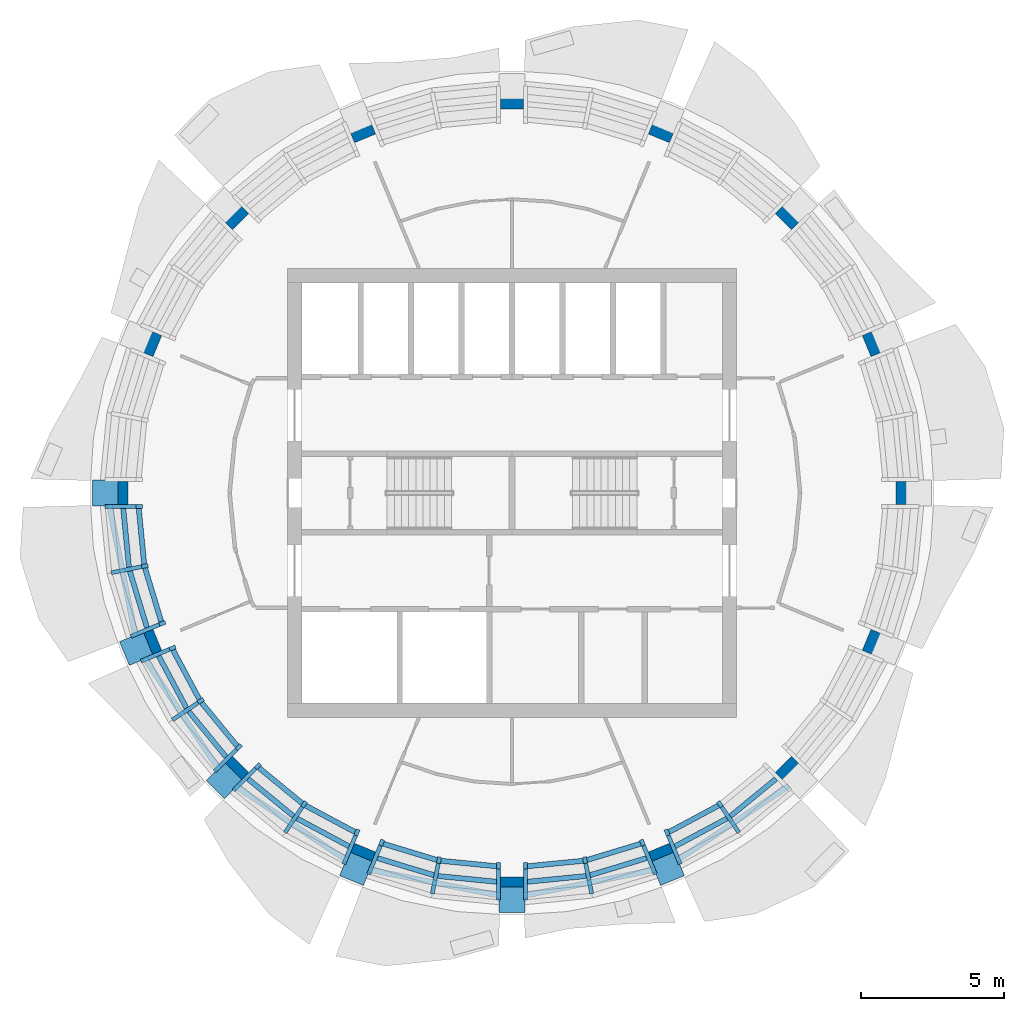
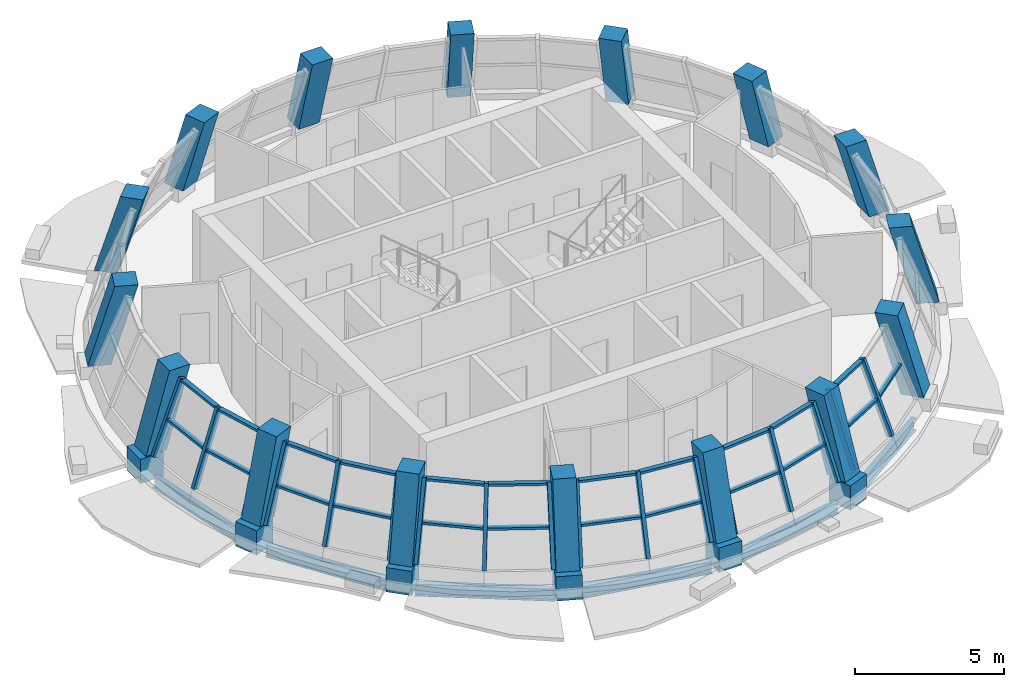
# One storey, part 1 of 12: 46 members, 16 columns, 6 beams, 6 elements without a shape of their own.
"""IFC4 building model written with IfcOpenShell, lengths in metres."""

from ifc_helpers import new_model, si_unit, direction, frame, origin, origin_2d, place, context, subcontext, project, spatial, rectangle, i_section, extrude, material, material_profile, profile_set, type_object, element, aggregate, save


model = new_model("IFC4")

# Units and contexts
model_context = context("Model", 3, precision=1e-05, world=origin(), true_north=direction((0.0, 1.0)))
body_context = subcontext(model_context, "Body", "Model", "MODEL_VIEW")
ifc_project = project(units=[si_unit("LENGTHUNIT", "METRE"), si_unit("AREAUNIT", "SQUARE_METRE"), si_unit("VOLUMEUNIT", "CUBIC_METRE"), si_unit("PLANEANGLEUNIT", "RADIAN"), si_unit("MASSUNIT", "GRAM", prefix="KILO")], contexts=[model_context])

# Site, building, storey
site_placement = place(None, origin())
site = spatial("IfcSite", under=ifc_project, at=site_placement, CompositionType="ELEMENT")
building_placement = place(site_placement, origin())
building = spatial("IfcBuilding", under=site, at=building_placement, Name="Polderwave Tower", CompositionType="ELEMENT")
storey_placement = place(building_placement, frame((0.0, 0.0, 231.199951171875)))
storey = spatial("IfcBuildingStorey", under=building, at=storey_placement, Name="L63", CompositionType="ELEMENT", Elevation=231.199951171875)

# Columns
ifc_material_1 = material(Name="Concrete C60/75", Category="concrete")
ifc_material_profile_1 = material_profile(ifc_material_1, rectangle(XDim=0.800048828125, YDim=0.800048828125, at=origin_2d()), Name="RC 800x800")
ifc_profile_set_1 = profile_set([ifc_material_profile_1], Name="Concrete C60/75")
column_type = type_object("IfcColumnType", Name="RC COLUMN 800x800 C60/75", PredefinedType="COLUMN", material=ifc_profile_set_1)
column_1_placement = place(storey_placement, frame((14.05712890625, 0.0, 0.5), z_axis=(0.0, 0.0, 1.0), x_axis=(0.0, -1.0, 0.0)))
element("IfcColumn", 1, at=column_1_placement, inside=storey, type_object=column_type, Name="Ring column 01", PredefinedType="COLUMN", context=body_context, shape_type="SweptSolid", body=[
    extrude(rectangle(XDim=0.800048828125, YDim=0.800048828125, at=origin_2d()), origin(), (0.0, -0.274730816856, 0.961521179314), 3.328125),
])
column_2_placement = place(storey_placement, frame((12.987060546875, 5.37939453125, 0.5), z_axis=(0.0, 0.0, 1.0), x_axis=(0.382642651649, -0.923896423382, 0.0)))
element("IfcColumn", 2, at=column_2_placement, inside=storey, type_object=column_type, Name="Ring column 02", PredefinedType="COLUMN", context=body_context, shape_type="SweptSolid", body=[
    extrude(rectangle(XDim=0.800048828125, YDim=0.800048828125, at=origin_2d()), origin(), (0.0, -0.274731396379, 0.96152101373), 3.328125),
])
column_3_placement = place(storey_placement, frame((9.93994140625, 9.93994140625, 0.5), z_axis=(0.0, 0.0, 1.0), x_axis=(0.707106781187, -0.707106781187, 0.0)))
element("IfcColumn", 3, at=column_3_placement, inside=storey, type_object=column_type, Name="Ring column 03", PredefinedType="COLUMN", context=body_context, shape_type="SweptSolid", body=[
    extrude(rectangle(XDim=0.800048828125, YDim=0.800048828125, at=origin_2d()), origin(), (0.0, -0.274719796552, 0.961524328024), 3.327880859375),
])
column_4_placement = place(storey_placement, frame((5.37939453125, 12.987060546875, 0.5), z_axis=(0.0, 0.0, 1.0), x_axis=(0.923896423382, -0.382642651649, 0.0)))
element("IfcColumn", 4, at=column_4_placement, inside=storey, type_object=column_type, Name="Ring column 04", PredefinedType="COLUMN", context=body_context, shape_type="SweptSolid", body=[
    extrude(rectangle(XDim=0.800048828125, YDim=0.800048828125, at=origin_2d()), origin(), (0.0, -0.274731396379, 0.96152101373), 3.328125),
])
column_5_placement = place(storey_placement, frame((0.0, 14.05712890625, 0.5), z_axis=(0.0, 0.0, 1.0), x_axis=(1.0, 0.0, 0.0)))
element("IfcColumn", 5, at=column_5_placement, inside=storey, type_object=column_type, Name="Ring column 05", PredefinedType="COLUMN", context=body_context, shape_type="SweptSolid", body=[
    extrude(rectangle(XDim=0.800048828125, YDim=0.800048828125, at=origin_2d()), origin(), (0.0, -0.274730816856, 0.961521179314), 3.328125),
])
column_6_placement = place(storey_placement, frame((-5.37939453125, 12.987060546875, 0.5), z_axis=(0.0, 0.0, 1.0), x_axis=(0.923896423382, 0.382642651649, 0.0)))
element("IfcColumn", 6, at=column_6_placement, inside=storey, type_object=column_type, Name="Ring column 06", PredefinedType="COLUMN", context=body_context, shape_type="SweptSolid", body=[
    extrude(rectangle(XDim=0.800048828125, YDim=0.800048828125, at=origin_2d()), origin(), (0.0, -0.274731396379, 0.96152101373), 3.328125),
])
column_7_placement = place(storey_placement, frame((-9.93994140625, 9.93994140625, 0.5), z_axis=(0.0, 0.0, 1.0), x_axis=(0.707106781187, 0.707106781187, 0.0)))
element("IfcColumn", 7, at=column_7_placement, inside=storey, type_object=column_type, Name="Ring column 07", PredefinedType="COLUMN", context=body_context, shape_type="SweptSolid", body=[
    extrude(rectangle(XDim=0.800048828125, YDim=0.800048828125, at=origin_2d()), origin(), (0.0, -0.274719796552, 0.961524328024), 3.327880859375),
])
column_8_placement = place(storey_placement, frame((-12.987060546875, 5.37939453125, 0.5), z_axis=(0.0, 0.0, 1.0), x_axis=(0.382642651649, 0.923896423382, 0.0)))
element("IfcColumn", 8, at=column_8_placement, inside=storey, type_object=column_type, Name="Ring column 08", PredefinedType="COLUMN", context=body_context, shape_type="SweptSolid", body=[
    extrude(rectangle(XDim=0.800048828125, YDim=0.800048828125, at=origin_2d()), origin(), (0.0, -0.274731396379, 0.96152101373), 3.328125),
])
column_9_placement = place(storey_placement, frame((-14.05712890625, 0.0, 0.5), z_axis=(0.0, 0.0, 1.0), x_axis=(0.0, 1.0, 0.0)))
element("IfcColumn", 9, at=column_9_placement, inside=storey, type_object=column_type, Name="Ring column 09", PredefinedType="COLUMN", context=body_context, shape_type="SweptSolid", body=[
    extrude(rectangle(XDim=0.800048828125, YDim=0.800048828125, at=origin_2d()), origin(), (0.0, -0.274730816856, 0.961521179314), 3.328125),
])
column_10_placement = place(storey_placement, frame((-12.987060546875, -5.37939453125, 0.5), z_axis=(0.0, 0.0, 1.0), x_axis=(-0.382642651649, 0.923896423382, 0.0)))
element("IfcColumn", 10, at=column_10_placement, inside=storey, type_object=column_type, Name="Ring column 10", PredefinedType="COLUMN", context=body_context, shape_type="SweptSolid", body=[
    extrude(rectangle(XDim=0.800048828125, YDim=0.800048828125, at=origin_2d()), origin(), (0.0, -0.274731396379, 0.96152101373), 3.328125),
])
column_11_placement = place(storey_placement, frame((-9.93994140625, -9.93994140625, 0.5), z_axis=(0.0, 0.0, 1.0), x_axis=(-0.707106781187, 0.707106781187, 0.0)))
element("IfcColumn", 11, at=column_11_placement, inside=storey, type_object=column_type, Name="Ring column 11", PredefinedType="COLUMN", context=body_context, shape_type="SweptSolid", body=[
    extrude(rectangle(XDim=0.800048828125, YDim=0.800048828125, at=origin_2d()), origin(), (0.0, -0.274719796552, 0.961524328024), 3.327880859375),
])
column_12_placement = place(storey_placement, frame((-5.37939453125, -12.987060546875, 0.5), z_axis=(0.0, 0.0, 1.0), x_axis=(-0.923896423382, 0.382642651649, 0.0)))
element("IfcColumn", 12, at=column_12_placement, inside=storey, type_object=column_type, Name="Ring column 12", PredefinedType="COLUMN", context=body_context, shape_type="SweptSolid", body=[
    extrude(rectangle(XDim=0.800048828125, YDim=0.800048828125, at=origin_2d()), origin(), (0.0, -0.274731396379, 0.96152101373), 3.328125),
])
column_13_placement = place(storey_placement, frame((0.0, -14.05712890625, 0.5), z_axis=(0.0, 0.0, 1.0), x_axis=(-1.0, 0.0, 0.0)))
element("IfcColumn", 13, at=column_13_placement, inside=storey, type_object=column_type, Name="Ring column 13", PredefinedType="COLUMN", context=body_context, shape_type="SweptSolid", body=[
    extrude(rectangle(XDim=0.800048828125, YDim=0.800048828125, at=origin_2d()), origin(), (0.0, -0.274730816856, 0.961521179314), 3.328125),
])
column_14_placement = place(storey_placement, frame((5.37939453125, -12.987060546875, 0.5), z_axis=(0.0, 0.0, 1.0), x_axis=(-0.923896423382, -0.382642651649, 0.0)))
element("IfcColumn", 14, at=column_14_placement, inside=storey, type_object=column_type, Name="Ring column 14", PredefinedType="COLUMN", context=body_context, shape_type="SweptSolid", body=[
    extrude(rectangle(XDim=0.800048828125, YDim=0.800048828125, at=origin_2d()), origin(), (0.0, -0.274731396379, 0.96152101373), 3.328125),
])
column_15_placement = place(storey_placement, frame((9.93994140625, -9.93994140625, 0.5), z_axis=(0.0, 0.0, 1.0), x_axis=(-0.707106781187, -0.707106781187, 0.0)))
element("IfcColumn", 15, at=column_15_placement, inside=storey, type_object=column_type, Name="Ring column 15", PredefinedType="COLUMN", context=body_context, shape_type="SweptSolid", body=[
    extrude(rectangle(XDim=0.800048828125, YDim=0.800048828125, at=origin_2d()), origin(), (0.0, -0.274719796552, 0.961524328024), 3.327880859375),
])
column_16_placement = place(storey_placement, frame((12.987060546875, -5.37939453125, 0.5), z_axis=(0.0, 0.0, 1.0), x_axis=(-0.382642651649, -0.923896423382, 0.0)))
element("IfcColumn", 16, at=column_16_placement, inside=storey, type_object=column_type, Name="Ring column 16", PredefinedType="COLUMN", context=body_context, shape_type="SweptSolid", body=[
    extrude(rectangle(XDim=0.800048828125, YDim=0.800048828125, at=origin_2d()), origin(), (0.0, -0.274731396379, 0.96152101373), 3.328125),
])

# Members
ifc_material_profile_2 = material_profile(ifc_material_1, rectangle(XDim=0.89990234375, YDim=0.89990234375, at=origin_2d()), Name="RC 900x900")
ifc_profile_set_2 = profile_set([ifc_material_profile_2], Name="Concrete C60/75")
member_type_1 = type_object("IfcMemberType", Name="RC NODE 900x900 C60/75", PredefinedType="POST", material=ifc_profile_set_2)
for number, where, z_axis, x_axis, name in (
    (17, (-14.253662109375, 0.0, -0.5), (0.0, 0.0, 1.0), (-1.0, 0.0, 0.0), "Ring column node 09"),
    (18, (-13.168701171875, -5.45458984375, -0.5), (0.0, 0.0, 1.0), (-0.923879532511, -0.382683432365, 0.0), "Ring column node 10"),
    (19, (-10.078857421875, -10.078857421875, -0.5), (0.0, 0.0, 1.0), (-0.707106781187, -0.707106781187, 0.0), "Ring column node 11"),
    (20, (-5.45458984375, -13.168701171875, -0.5), (0.0, 0.0, 1.0), (-0.382683432365, -0.923879532511, 0.0), "Ring column node 12"),
    (21, (0.0, -14.253662109375, -0.5), (0.0, 0.0, 1.0), (0.0, -1.0, 0.0), "Ring column node 13"),
    (22, (5.45458984375, -13.168701171875, -0.5), (0.0, 0.0, 1.0), (0.382683432365, -0.923879532511, 0.0), "Ring column node 14"),
):
    element("IfcMember", number, at=place(storey_placement, frame(where, z_axis=z_axis, x_axis=x_axis)), inside=storey, type_object=member_type_1, Name=name, PredefinedType="POST", context=body_context, shape_type="SweptSolid", body=[
        extrude(rectangle(XDim=0.89990234375, YDim=0.89990234375, at=origin_2d()), origin(), (0.0, 0.0, 1.0), 1.0),
    ])

# Beams
ifc_material_2 = material(Name="Steel S355", Category="steel")
ifc_material_profile_3 = material_profile(ifc_material_2, i_section(OverallWidth=0.199951171875, OverallDepth=0.5, WebThickness=0.01025390625, FlangeThickness=0.01611328125, at=origin_2d()), Name="IPE 500")
ifc_profile_set_3 = profile_set([ifc_material_profile_3], Name="Steel S355")
beam_type = type_object("IfcBeamType", Name="RING BEAM IPE 500", PredefinedType="BEAM", material=ifc_profile_set_3)
for number, where, z_axis, x_axis, name in (
    (23, (-14.120361328125, -0.39990234375, -0.599853515625), (0.19505281805, -0.980792739661, 0.0), (0.980792739661, 0.19505281805, 0.0), "ST-RB-L63-08"),
    (24, (-12.892578125, -5.773193359375, -0.599853515625), (0.55555842186, -0.831477504146, 0.0), (0.831477504146, 0.55555842186, 0.0), "ST-RB-L63-09"),
    (25, (-9.701904296875, -10.267578125, -0.599853515625), (0.831477504146, -0.55555842186, 0.0), (0.55555842186, 0.831477504146, 0.0), "ST-RB-L63-10"),
    (26, (-5.0341796875, -13.19873046875, -0.599853515625), (0.980792739661, -0.19505281805, 0.0), (0.19505281805, 0.980792739661, 0.0), "ST-RB-L63-11"),
    (27, (0.39990234375, -14.120361328125, -0.599853515625), (0.980792739661, 0.19505281805, 0.0), (-0.19505281805, 0.980792739661, 0.0), "ST-RB-L63-12"),
    (28, (5.773193359375, -12.892578125, -0.599853515625), (0.831477504146, 0.55555842186, 0.0), (-0.55555842186, 0.831477504146, 0.0), "ST-RB-L63-13"),
):
    element("IfcBeam", number, at=place(storey_placement, frame(where, z_axis=z_axis, x_axis=x_axis)), inside=storey, type_object=beam_type, Name=name, PredefinedType="BEAM", context=body_context, shape_type="SweptSolid", body=[
        extrude(i_section(OverallWidth=0.199951171875, OverallDepth=0.5, WebThickness=0.01025390625, FlangeThickness=0.01611328125, at=origin_2d()), origin(), (0.0, 0.0, 1.0), 4.72509765625),
    ])

# Curtain wall, members
ifc_material_3 = material(Name="Aluminium 6063-T6 and glass", Category="aluminium")
curtain_wall_type = type_object("IfcCurtainWallType", Name="Sky floor glazing, leaning storey wall", PredefinedType="NOTDEFINED", material=ifc_material_3)
curtain_wall_1_placement = place(storey_placement, origin())
curtain_wall_1 = element("IfcCurtainWall", 29, at=curtain_wall_1_placement, inside=storey, type_object=curtain_wall_type, Name="CW10 L63 08", PredefinedType="NOTDEFINED")
ifc_material_4 = material(Name="Aluminium 6063-T6", Category="aluminium")
ifc_material_profile_4 = material_profile(ifc_material_4, rectangle(XDim=0.139892578125, YDim=0.239990234375, at=origin_2d()), Name="AL 140x240")
ifc_profile_set_4 = profile_set([ifc_material_profile_4], Name="Aluminium 6063-T6")
member_type_2 = type_object("IfcMemberType", Name="Sky floor glazing, leaning storey mullion 140x240", PredefinedType="MULLION", material=ifc_profile_set_4)
member_1_placement = place(storey_placement, frame((-14.160400390625, -0.4697265625, 0.449951171875), z_axis=(0.35639800773, 0.0, 0.934334233605), x_axis=(0.0, 1.0, 0.0)))
member_1 = element("IfcMember", 30, at=member_1_placement, type_object=member_type_2, Name="CW10 mullion 1", PredefinedType="MULLION", context=body_context, shape_type="SweptSolid", body=[
    extrude(rectangle(XDim=0.139892578125, YDim=0.239990234375, at=origin_2d()), origin(), (0.0, 0.0, 1.0), 3.05029296875),
])
member_2_placement = place(storey_placement, frame((-13.93359375, -2.771484375, 0.449951171875), z_axis=(0.349384012277, 0.069316507361, 0.934412132719), x_axis=(-0.194603395436, 0.980882010481, 0.0)))
member_2 = element("IfcMember", 31, at=member_2_placement, type_object=member_type_2, Name="CW10 mullion 2", PredefinedType="MULLION", context=body_context, shape_type="SweptSolid", body=[
    extrude(rectangle(XDim=0.139892578125, YDim=0.239990234375, at=origin_2d()), origin(), (0.0, 0.0, 1.0), 3.050048828125),
])
member_3_placement = place(storey_placement, frame((-13.2626953125, -4.9853515625, 0.449951171875), z_axis=(0.32926301339, 0.136459270255, 0.934325818746), x_axis=(-0.38286079474, 0.923806046663, 0.0)))
member_3 = element("IfcMember", 32, at=member_3_placement, type_object=member_type_2, Name="CW10 mullion 3", PredefinedType="MULLION", context=body_context, shape_type="SweptSolid", body=[
    extrude(rectangle(XDim=0.139892578125, YDim=0.239990234375, at=origin_2d()), origin(), (0.0, 0.0, 1.0), 3.050537109375),
])

curtain_wall_2_placement = place(storey_placement, origin())
curtain_wall_2 = element("IfcCurtainWall", 33, at=curtain_wall_2_placement, inside=storey, type_object=curtain_wall_type, Name="CW10 L63 09", PredefinedType="NOTDEFINED")
member_4_placement = place(storey_placement, frame((-12.9033203125, -5.85302734375, 0.449951171875), z_axis=(0.32926301339, 0.136459270255, 0.934325818746), x_axis=(-0.38286079474, 0.923806046663, 0.0)))
member_4 = element("IfcMember", 34, at=member_4_placement, type_object=member_type_2, Name="CW10 mullion 1", PredefinedType="MULLION", context=body_context, shape_type="SweptSolid", body=[
    extrude(rectangle(XDim=0.139892578125, YDim=0.239990234375, at=origin_2d()), origin(), (0.0, 0.0, 1.0), 3.050537109375),
])
member_5_placement = place(storey_placement, frame((-11.8125, -7.892578125, 0.449951171875), z_axis=(0.296231272035, 0.197861038765, 0.934397154751), x_axis=(-0.555425896487, 0.831566036771, 0.0)))
member_5 = element("IfcMember", 35, at=member_5_placement, type_object=member_type_2, Name="CW10 mullion 2", PredefinedType="MULLION", context=body_context, shape_type="SweptSolid", body=[
    extrude(rectangle(XDim=0.139892578125, YDim=0.239990234375, at=origin_2d()), origin(), (0.0, 0.0, 1.0), 3.05029296875),
])
member_6_placement = place(storey_placement, frame((-10.344970703125, -9.681396484375, 0.449951171875), z_axis=(0.251938953643, 0.252259079378, 0.934286958332), x_axis=(-0.707555595257, 0.706657682065, 0.0)))
member_6 = element("IfcMember", 36, at=member_6_placement, type_object=member_type_2, Name="CW10 mullion 3", PredefinedType="MULLION", context=body_context, shape_type="SweptSolid", body=[
    extrude(rectangle(XDim=0.139892578125, YDim=0.239990234375, at=origin_2d()), origin(), (0.0, 0.0, 1.0), 3.050537109375),
])

curtain_wall_3_placement = place(storey_placement, origin())
curtain_wall_3 = element("IfcCurtainWall", 37, at=curtain_wall_3_placement, inside=storey, type_object=curtain_wall_type, Name="CW10 L63 10", PredefinedType="NOTDEFINED")
member_7_placement = place(storey_placement, frame((-9.681396484375, -10.344970703125, 0.449951171875), z_axis=(0.252259079378, 0.251938953643, 0.934286958332), x_axis=(-0.706657682065, 0.707555595257, 0.0)))
member_7 = element("IfcMember", 38, at=member_7_placement, type_object=member_type_2, Name="CW10 mullion 1", PredefinedType="MULLION", context=body_context, shape_type="SweptSolid", body=[
    extrude(rectangle(XDim=0.139892578125, YDim=0.239990234375, at=origin_2d()), origin(), (0.0, 0.0, 1.0), 3.050537109375),
])
member_8_placement = place(storey_placement, frame((-7.892578125, -11.8125, 0.449951171875), z_axis=(0.197861038765, 0.296231272035, 0.934397154751), x_axis=(-0.831566036771, 0.555425896487, 0.0)))
member_8 = element("IfcMember", 39, at=member_8_placement, type_object=member_type_2, Name="CW10 mullion 2", PredefinedType="MULLION", context=body_context, shape_type="SweptSolid", body=[
    extrude(rectangle(XDim=0.139892578125, YDim=0.239990234375, at=origin_2d()), origin(), (0.0, 0.0, 1.0), 3.05029296875),
])
member_9_placement = place(storey_placement, frame((-5.85302734375, -12.9033203125, 0.449951171875), z_axis=(0.136459270255, 0.32926301339, 0.934325818746), x_axis=(-0.923806046663, 0.38286079474, 0.0)))
member_9 = element("IfcMember", 40, at=member_9_placement, type_object=member_type_2, Name="CW10 mullion 3", PredefinedType="MULLION", context=body_context, shape_type="SweptSolid", body=[
    extrude(rectangle(XDim=0.139892578125, YDim=0.239990234375, at=origin_2d()), origin(), (0.0, 0.0, 1.0), 3.050537109375),
])

curtain_wall_4_placement = place(storey_placement, origin())
curtain_wall_4 = element("IfcCurtainWall", 41, at=curtain_wall_4_placement, inside=storey, type_object=curtain_wall_type, Name="CW10 L63 11", PredefinedType="NOTDEFINED")
member_10_placement = place(storey_placement, frame((-4.9853515625, -13.2626953125, 0.449951171875), z_axis=(0.136459270255, 0.32926301339, 0.934325818746), x_axis=(-0.923806046663, 0.38286079474, 0.0)))
member_10 = element("IfcMember", 42, at=member_10_placement, type_object=member_type_2, Name="CW10 mullion 1", PredefinedType="MULLION", context=body_context, shape_type="SweptSolid", body=[
    extrude(rectangle(XDim=0.139892578125, YDim=0.239990234375, at=origin_2d()), origin(), (0.0, 0.0, 1.0), 3.050537109375),
])
member_11_placement = place(storey_placement, frame((-2.771484375, -13.93359375, 0.449951171875), z_axis=(0.069316507361, 0.349384012277, 0.934412132719), x_axis=(-0.980882010481, 0.194603395436, 0.0)))
member_11 = element("IfcMember", 43, at=member_11_placement, type_object=member_type_2, Name="CW10 mullion 2", PredefinedType="MULLION", context=body_context, shape_type="SweptSolid", body=[
    extrude(rectangle(XDim=0.139892578125, YDim=0.239990234375, at=origin_2d()), origin(), (0.0, 0.0, 1.0), 3.050048828125),
])
member_12_placement = place(storey_placement, frame((-0.4697265625, -14.160400390625, 0.449951171875), z_axis=(0.0, 0.35639800773, 0.934334233605), x_axis=(-1.0, 0.0, 0.0)))
member_12 = element("IfcMember", 44, at=member_12_placement, type_object=member_type_2, Name="CW10 mullion 3", PredefinedType="MULLION", context=body_context, shape_type="SweptSolid", body=[
    extrude(rectangle(XDim=0.139892578125, YDim=0.239990234375, at=origin_2d()), origin(), (0.0, 0.0, 1.0), 3.05029296875),
])

curtain_wall_5_placement = place(storey_placement, origin())
curtain_wall_5 = element("IfcCurtainWall", 45, at=curtain_wall_5_placement, inside=storey, type_object=curtain_wall_type, Name="CW10 L63 12", PredefinedType="NOTDEFINED")
member_13_placement = place(storey_placement, frame((0.4697265625, -14.160400390625, 0.449951171875), z_axis=(0.0, 0.35639800773, 0.934334233605), x_axis=(-1.0, 0.0, 0.0)))
member_13 = element("IfcMember", 46, at=member_13_placement, type_object=member_type_2, Name="CW10 mullion 1", PredefinedType="MULLION", context=body_context, shape_type="SweptSolid", body=[
    extrude(rectangle(XDim=0.139892578125, YDim=0.239990234375, at=origin_2d()), origin(), (0.0, 0.0, 1.0), 3.05029296875),
])
member_14_placement = place(storey_placement, frame((2.771484375, -13.93359375, 0.449951171875), z_axis=(-0.069316507361, 0.349384012277, 0.934412132719), x_axis=(-0.980882010481, -0.194603395436, 0.0)))
member_14 = element("IfcMember", 47, at=member_14_placement, type_object=member_type_2, Name="CW10 mullion 2", PredefinedType="MULLION", context=body_context, shape_type="SweptSolid", body=[
    extrude(rectangle(XDim=0.139892578125, YDim=0.239990234375, at=origin_2d()), origin(), (0.0, 0.0, 1.0), 3.050048828125),
])
member_15_placement = place(storey_placement, frame((4.9853515625, -13.2626953125, 0.449951171875), z_axis=(-0.136459270255, 0.32926301339, 0.934325818746), x_axis=(-0.923806046663, -0.38286079474, 0.0)))
member_15 = element("IfcMember", 48, at=member_15_placement, type_object=member_type_2, Name="CW10 mullion 3", PredefinedType="MULLION", context=body_context, shape_type="SweptSolid", body=[
    extrude(rectangle(XDim=0.139892578125, YDim=0.239990234375, at=origin_2d()), origin(), (0.0, 0.0, 1.0), 3.050537109375),
])

curtain_wall_6_placement = place(storey_placement, origin())
curtain_wall_6 = element("IfcCurtainWall", 49, at=curtain_wall_6_placement, inside=storey, type_object=curtain_wall_type, Name="CW10 L63 13", PredefinedType="NOTDEFINED")
member_16_placement = place(storey_placement, frame((5.85302734375, -12.9033203125, 0.449951171875), z_axis=(-0.136459270255, 0.32926301339, 0.934325818746), x_axis=(-0.923806046663, -0.38286079474, 0.0)))
member_16 = element("IfcMember", 50, at=member_16_placement, type_object=member_type_2, Name="CW10 mullion 1", PredefinedType="MULLION", context=body_context, shape_type="SweptSolid", body=[
    extrude(rectangle(XDim=0.139892578125, YDim=0.239990234375, at=origin_2d()), origin(), (0.0, 0.0, 1.0), 3.050537109375),
])
member_17_placement = place(storey_placement, frame((7.892578125, -11.8125, 0.449951171875), z_axis=(-0.197861038765, 0.296231272035, 0.934397154751), x_axis=(-0.831566036771, -0.555425896487, 0.0)))
member_17 = element("IfcMember", 51, at=member_17_placement, type_object=member_type_2, Name="CW10 mullion 2", PredefinedType="MULLION", context=body_context, shape_type="SweptSolid", body=[
    extrude(rectangle(XDim=0.139892578125, YDim=0.239990234375, at=origin_2d()), origin(), (0.0, 0.0, 1.0), 3.05029296875),
])

# Member
ifc_material_profile_5 = material_profile(ifc_material_4, rectangle(XDim=0.179931640625, YDim=0.10009765625, at=origin_2d()), Name="AL 100x180")
ifc_profile_set_5 = profile_set([ifc_material_profile_5], Name="Aluminium 6063-T6")
member_type_3 = type_object("IfcMemberType", Name="Sky floor glazing, leaning storey transom 100x180", PredefinedType="USERDEFINED", material=ifc_profile_set_5)
member_18_placement = place(storey_placement, frame((-13.62890625, -0.539306640625, 1.824951171875), z_axis=(0.097752337665, -0.995210771888, 0.0), x_axis=(0.995210771888, 0.097752337665, 0.0)))
member_18 = element("IfcMember", 52, at=member_18_placement, type_object=member_type_3, Name="CW10 transom 1", ObjectType="TRANSOM", PredefinedType="USERDEFINED", context=body_context, shape_type="SweptSolid", body=[
    extrude(rectangle(XDim=0.179931640625, YDim=0.10009765625, at=origin_2d()), origin(), (0.0, 0.0, 1.0), 2.070556640625),
])

member_19_placement = place(storey_placement, frame((-13.08544921875, -0.539306640625, 3.25), z_axis=(0.097706619467, -0.995215261394, 0.0), x_axis=(0.995215261394, 0.097706619467, 0.0)))
member_19 = element("IfcMember", 53, at=member_19_placement, type_object=member_type_3, Name="CW10 transom 2", ObjectType="TRANSOM", PredefinedType="USERDEFINED", context=body_context, shape_type="SweptSolid", body=[
    extrude(rectangle(XDim=0.179931640625, YDim=0.10009765625, at=origin_2d()), origin(), (0.0, 0.0, 1.0), 1.9638671875),
])

member_20_placement = place(storey_placement, frame((-13.3994140625, -2.736572265625, 1.824951171875), z_axis=(0.290354335272, -0.956919202435, 0.0), x_axis=(0.956919202435, 0.290354335272, 0.0)))
member_20 = element("IfcMember", 54, at=member_20_placement, type_object=member_type_3, Name="CW10 transom 3", ObjectType="TRANSOM", PredefinedType="USERDEFINED", context=body_context, shape_type="SweptSolid", body=[
    extrude(rectangle(XDim=0.179931640625, YDim=0.10009765625, at=origin_2d()), origin(), (0.0, 0.0, 1.0), 2.070068359375),
])

member_21_placement = place(storey_placement, frame((-12.866455078125, -2.630615234375, 3.25), z_axis=(0.290369772584, -0.956914518215, 0.0), x_axis=(0.956914518215, 0.290369772584, 0.0)))
member_21 = element("IfcMember", 55, at=member_21_placement, type_object=member_type_3, Name="CW10 transom 4", ObjectType="TRANSOM", PredefinedType="USERDEFINED", context=body_context, shape_type="SweptSolid", body=[
    extrude(rectangle(XDim=0.179931640625, YDim=0.10009765625, at=origin_2d()), origin(), (0.0, 0.0, 1.0), 1.963134765625),
])

aggregate(curtain_wall_1, [member_1, member_2, member_3, member_18, member_19, member_20, member_21])

member_22_placement = place(storey_placement, frame((-12.3857421875, -5.7138671875, 1.824951171875), z_axis=(0.471524318865, -0.881853058462, 0.0), x_axis=(0.881853058462, 0.471524318865, 0.0)))
member_22 = element("IfcMember", 56, at=member_22_placement, type_object=member_type_3, Name="CW10 transom 1", ObjectType="TRANSOM", PredefinedType="USERDEFINED", context=body_context, shape_type="SweptSolid", body=[
    extrude(rectangle(XDim=0.179931640625, YDim=0.10009765625, at=origin_2d()), origin(), (0.0, 0.0, 1.0), 2.070556640625),
])

member_23_placement = place(storey_placement, frame((-11.883544921875, -5.505859375, 3.25), z_axis=(0.471317248998, -0.881963746872, 0.0), x_axis=(0.881963746872, 0.471317248998, 0.0)))
member_23 = element("IfcMember", 57, at=member_23_placement, type_object=member_type_3, Name="CW10 transom 2", ObjectType="TRANSOM", PredefinedType="USERDEFINED", context=body_context, shape_type="SweptSolid", body=[
    extrude(rectangle(XDim=0.179931640625, YDim=0.10009765625, at=origin_2d()), origin(), (0.0, 0.0, 1.0), 1.963623046875),
])

member_24_placement = place(storey_placement, frame((-11.33203125, -7.655517578125, 1.824951171875), z_axis=(0.634367203653, -0.773031856348, 0.0), x_axis=(0.773031856348, 0.634367203653, 0.0)))
member_24 = element("IfcMember", 58, at=member_24_placement, type_object=member_type_3, Name="CW10 transom 3", ObjectType="TRANSOM", PredefinedType="USERDEFINED", context=body_context, shape_type="SweptSolid", body=[
    extrude(rectangle(XDim=0.179931640625, YDim=0.10009765625, at=origin_2d()), origin(), (0.0, 0.0, 1.0), 2.070556640625),
])

member_25_placement = place(storey_placement, frame((-10.880615234375, -7.353759765625, 3.25), z_axis=(0.634665186875, -0.772787228524, 0.0), x_axis=(0.772787228524, 0.634665186875, 0.0)))
member_25 = element("IfcMember", 59, at=member_25_placement, type_object=member_type_3, Name="CW10 transom 4", ObjectType="TRANSOM", PredefinedType="USERDEFINED", context=body_context, shape_type="SweptSolid", body=[
    extrude(rectangle(XDim=0.179931640625, YDim=0.10009765625, at=origin_2d()), origin(), (0.0, 0.0, 1.0), 1.9638671875),
])

aggregate(curtain_wall_2, [member_4, member_5, member_6, member_22, member_23, member_24, member_25])

member_26_placement = place(storey_placement, frame((-9.256103515625, -10.0185546875, 1.824951171875), z_axis=(0.773031856348, -0.634367203653, 0.0), x_axis=(0.634367203653, 0.773031856348, 0.0)))
member_26 = element("IfcMember", 60, at=member_26_placement, type_object=member_type_3, Name="CW10 transom 1", ObjectType="TRANSOM", PredefinedType="USERDEFINED", context=body_context, shape_type="SweptSolid", body=[
    extrude(rectangle(XDim=0.179931640625, YDim=0.10009765625, at=origin_2d()), origin(), (0.0, 0.0, 1.0), 2.070556640625),
])

member_27_placement = place(storey_placement, frame((-8.871337890625, -9.63427734375, 3.25), z_axis=(0.772787228524, -0.634665186875, 0.0), x_axis=(0.634665186875, 0.772787228524, 0.0)))
member_27 = element("IfcMember", 61, at=member_27_placement, type_object=member_type_3, Name="CW10 transom 2", ObjectType="TRANSOM", PredefinedType="USERDEFINED", context=body_context, shape_type="SweptSolid", body=[
    extrude(rectangle(XDim=0.179931640625, YDim=0.10009765625, at=origin_2d()), origin(), (0.0, 0.0, 1.0), 1.9638671875),
])

member_28_placement = place(storey_placement, frame((-7.539794921875, -11.409423828125, 1.824951171875), z_axis=(0.881853058462, -0.471524318865, 0.0), x_axis=(0.471524318865, 0.881853058462, 0.0)))
member_28 = element("IfcMember", 62, at=member_28_placement, type_object=member_type_3, Name="CW10 transom 3", ObjectType="TRANSOM", PredefinedType="USERDEFINED", context=body_context, shape_type="SweptSolid", body=[
    extrude(rectangle(XDim=0.179931640625, YDim=0.10009765625, at=origin_2d()), origin(), (0.0, 0.0, 1.0), 2.070556640625),
])

member_29_placement = place(storey_placement, frame((-7.23779296875, -10.9580078125, 3.25), z_axis=(0.881963746872, -0.471317248998, 0.0), x_axis=(0.471317248998, 0.881963746872, 0.0)))
member_29 = element("IfcMember", 63, at=member_29_placement, type_object=member_type_3, Name="CW10 transom 4", ObjectType="TRANSOM", PredefinedType="USERDEFINED", context=body_context, shape_type="SweptSolid", body=[
    extrude(rectangle(XDim=0.179931640625, YDim=0.10009765625, at=origin_2d()), origin(), (0.0, 0.0, 1.0), 1.963623046875),
])

aggregate(curtain_wall_3, [member_7, member_8, member_9, member_26, member_27, member_28, member_29])

member_30_placement = place(storey_placement, frame((-4.717529296875, -12.79833984375, 1.824951171875), z_axis=(0.956919202435, -0.290354335272, 0.0), x_axis=(0.290354335272, 0.956919202435, 0.0)))
member_30 = element("IfcMember", 64, at=member_30_placement, type_object=member_type_3, Name="CW10 transom 1", ObjectType="TRANSOM", PredefinedType="USERDEFINED", context=body_context, shape_type="SweptSolid", body=[
    extrude(rectangle(XDim=0.179931640625, YDim=0.10009765625, at=origin_2d()), origin(), (0.0, 0.0, 1.0), 2.070068359375),
])

member_31_placement = place(storey_placement, frame((-4.50927734375, -12.29638671875, 3.25), z_axis=(0.956914518215, -0.290369772584, 0.0), x_axis=(0.290369772584, 0.956914518215, 0.0)))
member_31 = element("IfcMember", 65, at=member_31_placement, type_object=member_type_3, Name="CW10 transom 2", ObjectType="TRANSOM", PredefinedType="USERDEFINED", context=body_context, shape_type="SweptSolid", body=[
    extrude(rectangle(XDim=0.179931640625, YDim=0.10009765625, at=origin_2d()), origin(), (0.0, 0.0, 1.0), 1.963134765625),
])

member_32_placement = place(storey_placement, frame((-2.599853515625, -13.426513671875, 1.824951171875), z_axis=(0.995210771888, -0.097752337665, 0.0), x_axis=(0.097752337665, 0.995210771888, 0.0)))
member_32 = element("IfcMember", 66, at=member_32_placement, type_object=member_type_3, Name="CW10 transom 3", ObjectType="TRANSOM", PredefinedType="USERDEFINED", context=body_context, shape_type="SweptSolid", body=[
    extrude(rectangle(XDim=0.179931640625, YDim=0.10009765625, at=origin_2d()), origin(), (0.0, 0.0, 1.0), 2.070556640625),
])

member_33_placement = place(storey_placement, frame((-2.493896484375, -12.8935546875, 3.25), z_axis=(0.995215261394, -0.097706619467, 0.0), x_axis=(0.097706619467, 0.995215261394, 0.0)))
member_33 = element("IfcMember", 67, at=member_33_placement, type_object=member_type_3, Name="CW10 transom 4", ObjectType="TRANSOM", PredefinedType="USERDEFINED", context=body_context, shape_type="SweptSolid", body=[
    extrude(rectangle(XDim=0.179931640625, YDim=0.10009765625, at=origin_2d()), origin(), (0.0, 0.0, 1.0), 1.9638671875),
])

aggregate(curtain_wall_4, [member_10, member_11, member_12, member_30, member_31, member_32, member_33])

member_34_placement = place(storey_placement, frame((0.539306640625, -13.62890625, 1.824951171875), z_axis=(0.995210771888, 0.097752337665, 0.0), x_axis=(-0.097752337665, 0.995210771888, 0.0)))
member_34 = element("IfcMember", 68, at=member_34_placement, type_object=member_type_3, Name="CW10 transom 1", ObjectType="TRANSOM", PredefinedType="USERDEFINED", context=body_context, shape_type="SweptSolid", body=[
    extrude(rectangle(XDim=0.179931640625, YDim=0.10009765625, at=origin_2d()), origin(), (0.0, 0.0, 1.0), 2.070556640625),
])

member_35_placement = place(storey_placement, frame((0.539306640625, -13.08544921875, 3.25), z_axis=(0.995215261394, 0.097706619467, 0.0), x_axis=(-0.097706619467, 0.995215261394, 0.0)))
member_35 = element("IfcMember", 69, at=member_35_placement, type_object=member_type_3, Name="CW10 transom 2", ObjectType="TRANSOM", PredefinedType="USERDEFINED", context=body_context, shape_type="SweptSolid", body=[
    extrude(rectangle(XDim=0.179931640625, YDim=0.10009765625, at=origin_2d()), origin(), (0.0, 0.0, 1.0), 1.9638671875),
])

member_36_placement = place(storey_placement, frame((2.736572265625, -13.3994140625, 1.824951171875), z_axis=(0.956919202435, 0.290354335272, 0.0), x_axis=(-0.290354335272, 0.956919202435, 0.0)))
member_36 = element("IfcMember", 70, at=member_36_placement, type_object=member_type_3, Name="CW10 transom 3", ObjectType="TRANSOM", PredefinedType="USERDEFINED", context=body_context, shape_type="SweptSolid", body=[
    extrude(rectangle(XDim=0.179931640625, YDim=0.10009765625, at=origin_2d()), origin(), (0.0, 0.0, 1.0), 2.070068359375),
])

member_37_placement = place(storey_placement, frame((2.630615234375, -12.866455078125, 3.25), z_axis=(0.956914518215, 0.290369772584, 0.0), x_axis=(-0.290369772584, 0.956914518215, 0.0)))
member_37 = element("IfcMember", 71, at=member_37_placement, type_object=member_type_3, Name="CW10 transom 4", ObjectType="TRANSOM", PredefinedType="USERDEFINED", context=body_context, shape_type="SweptSolid", body=[
    extrude(rectangle(XDim=0.179931640625, YDim=0.10009765625, at=origin_2d()), origin(), (0.0, 0.0, 1.0), 1.963134765625),
])

aggregate(curtain_wall_5, [member_13, member_14, member_15, member_34, member_35, member_36, member_37])

member_38_placement = place(storey_placement, frame((5.7138671875, -12.3857421875, 1.824951171875), z_axis=(0.881853058462, 0.471524318865, 0.0), x_axis=(-0.471524318865, 0.881853058462, 0.0)))
member_38 = element("IfcMember", 72, at=member_38_placement, type_object=member_type_3, Name="CW10 transom 1", ObjectType="TRANSOM", PredefinedType="USERDEFINED", context=body_context, shape_type="SweptSolid", body=[
    extrude(rectangle(XDim=0.179931640625, YDim=0.10009765625, at=origin_2d()), origin(), (0.0, 0.0, 1.0), 2.070556640625),
])

member_39_placement = place(storey_placement, frame((5.505859375, -11.883544921875, 3.25), z_axis=(0.881963746872, 0.471317248998, 0.0), x_axis=(-0.471317248998, 0.881963746872, 0.0)))
member_39 = element("IfcMember", 73, at=member_39_placement, type_object=member_type_3, Name="CW10 transom 2", ObjectType="TRANSOM", PredefinedType="USERDEFINED", context=body_context, shape_type="SweptSolid", body=[
    extrude(rectangle(XDim=0.179931640625, YDim=0.10009765625, at=origin_2d()), origin(), (0.0, 0.0, 1.0), 1.963623046875),
])

member_40_placement = place(storey_placement, frame((7.655517578125, -11.33203125, 1.824951171875), z_axis=(0.773031856348, 0.634367203653, 0.0), x_axis=(-0.634367203653, 0.773031856348, 0.0)))
member_40 = element("IfcMember", 74, at=member_40_placement, type_object=member_type_3, Name="CW10 transom 3", ObjectType="TRANSOM", PredefinedType="USERDEFINED", context=body_context, shape_type="SweptSolid", body=[
    extrude(rectangle(XDim=0.179931640625, YDim=0.10009765625, at=origin_2d()), origin(), (0.0, 0.0, 1.0), 2.070556640625),
])

aggregate(curtain_wall_6, [member_16, member_17, member_38, member_39, member_40])

save(model, "model.ifc")
